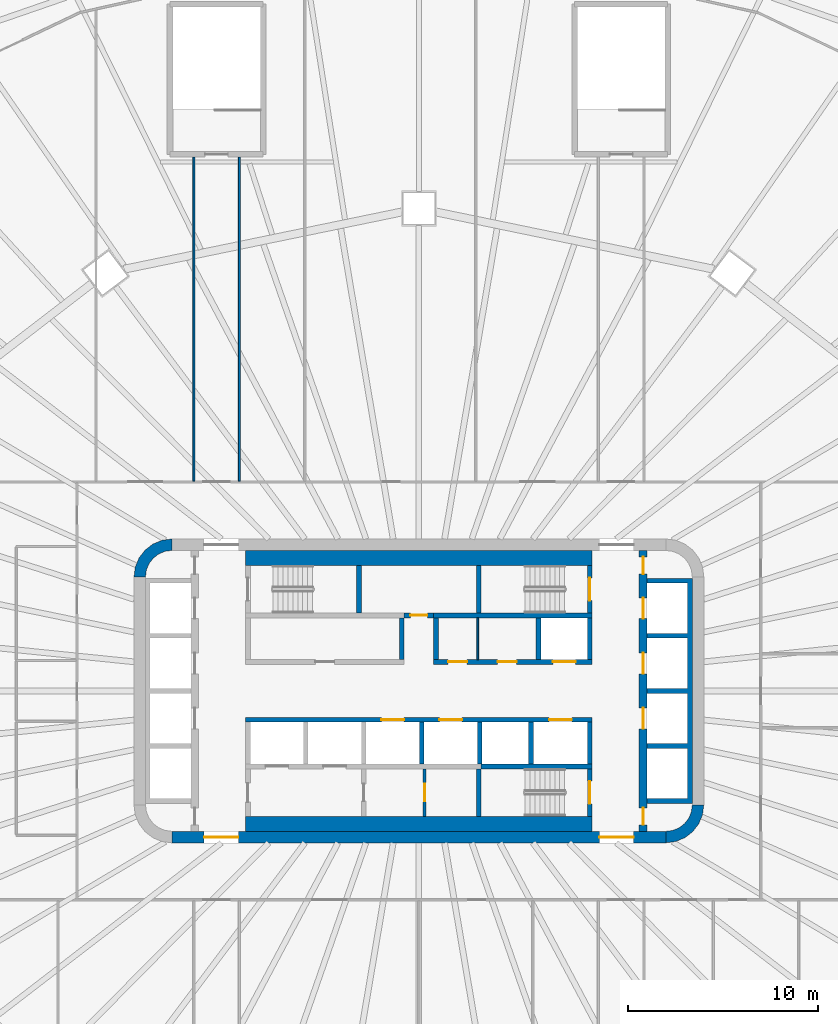
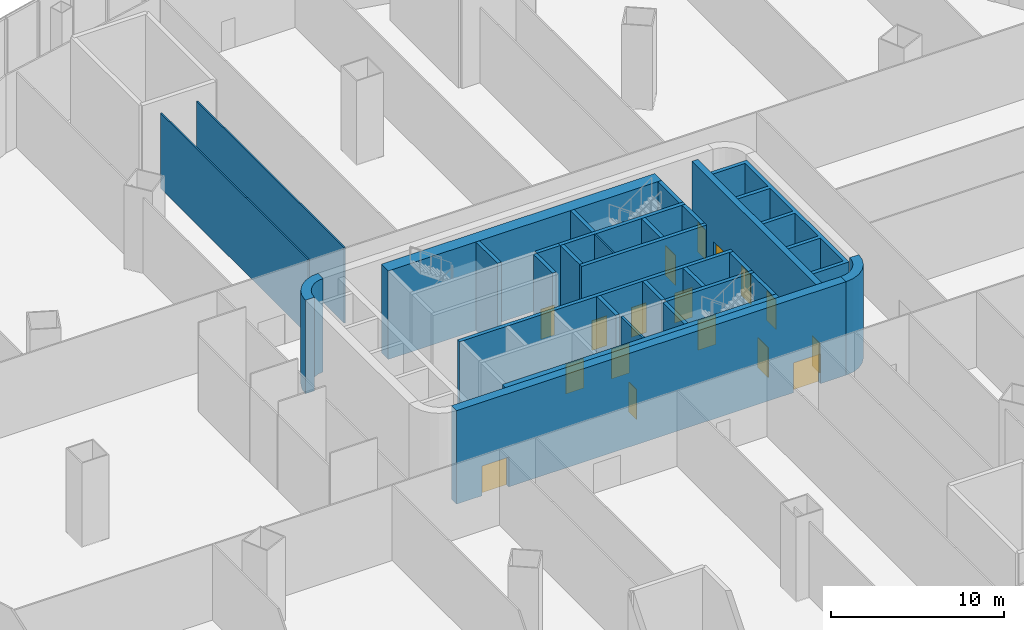
# One storey, part 22 of 33: 29 walls, 17 doors, 17 openings.
"""IFC4 building model written with IfcOpenShell, lengths in metres."""

import ifcopenshell
import ifcopenshell.guid

model = None  # the IFC model being written
_history = None  # IfcOwnerHistory: only IFC2X3 demands one
_inside = {}  # id of a spatial element -> (the spatial element, [elements in it])
_under = {}  # id of a project, library or spatial element -> (it, [spatial elements below it])
_declared = {}  # id of a project -> (the project, [libraries it declares])
_typed = {}  # id of a type object -> (the type object, [elements of that type])
_made_of = {}  # id of a material, layer set ... -> (it, [elements and type objects made of it])


def new_model(schema):
    """Start an empty IFC model of exactly this schema.

    Asked for "IFC4X3", IfcOpenShell would pick the latest addendum, in which some entities
    have other attributes; the version numbers below select the first issue.
    IFC2X3 requires an IfcOwnerHistory on every rooted entity: one is made here for all.
    """
    global model, _history
    if schema == "IFC4X3":
        model = ifcopenshell.file(schema_version=(4, 3, 0, 0))
    else:
        model = ifcopenshell.file(schema=schema)
    _inside.clear()
    _under.clear()
    _declared.clear()
    _typed.clear()
    _made_of.clear()
    _history = None
    if model.schema == "IFC2X3":
        org = make("IfcOrganization", Name="unknown")
        user = make(
            "IfcPersonAndOrganization",
            ThePerson=make("IfcPerson", FamilyName="unknown"),
            TheOrganization=org,
        )
        app = make(
            "IfcApplication",
            ApplicationDeveloper=org,
            Version="unknown",
            ApplicationFullName="unknown",
            ApplicationIdentifier="unknown",
        )
        _history = make(
            "IfcOwnerHistory",
            OwningUser=user,
            OwningApplication=app,
            ChangeAction="ADDED",
            CreationDate=0,
        )
    return model


def make(cls, **values):
    """One entity of the class cls with the attributes given. An attribute that is None is left unset."""
    return model.create_entity(
        cls, **{name: value for name, value in values.items() if value is not None}
    )


def rooted(cls, **values):
    """An entity with a GlobalId (a new one), such as an element, a storey or a relation."""
    return make(cls, GlobalId=ifcopenshell.guid.new(), OwnerHistory=_history, **values)


def si_unit(unit_type, name, prefix=None):
    """IfcSIUnit, for example si_unit("LENGTHUNIT", "METRE", prefix="MILLI")."""
    return make("IfcSIUnit", UnitType=unit_type, Prefix=prefix, Name=name)


def assignment(units):
    """IfcUnitAssignment: the units of a project."""
    return None if units is None else make("IfcUnitAssignment", Units=units)


def point(xyz):
    """IfcCartesianPoint."""
    return None if xyz is None else make("IfcCartesianPoint", Coordinates=xyz)


def direction(xyz):
    """IfcDirection."""
    return None if xyz is None else make("IfcDirection", DirectionRatios=xyz)


def frame(location, z_axis=None, x_axis=None):
    """IfcAxis2Placement3D, a coordinate frame: its origin and axes. An axis left out is left unset."""
    return make(
        "IfcAxis2Placement3D",
        Location=point(location),
        Axis=direction(z_axis),
        RefDirection=direction(x_axis),
    )


def frame_2d(location, x_axis=None):
    """IfcAxis2Placement2D, a coordinate frame in the plane: its origin and x axis."""
    return make(
        "IfcAxis2Placement2D", Location=point(location), RefDirection=direction(x_axis)
    )


def origin():
    """The frame at (0, 0, 0) with its axes left unset."""
    return frame((0.0, 0.0, 0.0))


def place(relative_to, where):
    """IfcLocalPlacement: puts the frame where relative to a parent placement (None: the world)."""
    return make(
        "IfcLocalPlacement", PlacementRelTo=relative_to, RelativePlacement=where
    )


def context(
    kind, dimensions, precision=None, world=None, true_north=None, identifier=None
):
    """IfcGeometricRepresentationContext, for example the 3D "Model" context."""
    return make(
        "IfcGeometricRepresentationContext",
        ContextIdentifier=identifier,
        ContextType=kind,
        CoordinateSpaceDimension=dimensions,
        Precision=precision,
        WorldCoordinateSystem=world,
        TrueNorth=true_north,
    )


def subcontext(parent, identifier, kind, view, scale=None):
    """IfcGeometricRepresentationSubContext, for example "Body" below "Model"."""
    return make(
        "IfcGeometricRepresentationSubContext",
        ContextIdentifier=identifier,
        ContextType=kind,
        ParentContext=parent,
        TargetScale=scale,
        TargetView=view,
    )


def project(units=None, contexts=None):
    """IfcProject with its units and contexts."""
    return rooted(
        "IfcProject",
        Name="project",
        RepresentationContexts=contexts,
        UnitsInContext=assignment(units),
    )


def spatial(cls, under=None, at=None, **own):
    """A site, building, storey or space (cls), placed at a placement, below another one or the project."""
    s = rooted(cls, ObjectPlacement=at, **own)
    if under is not None:
        _under.setdefault(under.id(), (under, []))[1].append(s)
    return s


def polyline(points):
    """IfcPolyline through the points."""
    return make("IfcPolyline", Points=[point(p) for p in points])


def profile(cls, at=None, kind="AREA", **sizes):
    """A parametric profile (cls). Its sizes go by their IFC names, for example OverallWidth=200.0."""
    return make(cls, ProfileType=kind, Position=at, **sizes)


def rectangle(**sizes):
    """IfcRectangleProfileDef."""
    return profile("IfcRectangleProfileDef", **sizes)


def outline(outer, holes=None, kind="AREA"):
    """IfcArbitraryClosedProfileDef: a profile drawn as a closed curve; with holes, ...WithVoids."""
    if holes is None:
        return make("IfcArbitraryClosedProfileDef", ProfileType=kind, OuterCurve=outer)
    return make(
        "IfcArbitraryProfileDefWithVoids",
        ProfileType=kind,
        OuterCurve=outer,
        InnerCurves=holes,
    )


def extrude(swept, where, along, depth):
    """IfcExtrudedAreaSolid: the profile swept, set in the frame where, extruded along a direction by depth."""
    return make(
        "IfcExtrudedAreaSolid",
        SweptArea=swept,
        Position=where,
        ExtrudedDirection=direction(along),
        Depth=depth,
    )


def shape(context_of_items, identifier, shape_type, items):
    """IfcShapeRepresentation: the items that make up one representation, for example the "Body"."""
    return make(
        "IfcShapeRepresentation",
        ContextOfItems=context_of_items,
        RepresentationIdentifier=identifier,
        RepresentationType=shape_type,
        Items=items,
    )


def material(Name=None, Category=None):
    """IfcMaterial."""
    return make("IfcMaterial", Name=Name, Category=Category)


def layer(
    of_material, thickness, ventilated=None, Name=None, Category=None, Priority=None
):
    """IfcMaterialLayer: one layer of a wall or slab, of a material (None: an air gap)."""
    return make(
        "IfcMaterialLayer",
        Material=of_material,
        LayerThickness=thickness,
        IsVentilated=ventilated,
        Name=Name,
        Category=Category,
        Priority=Priority,
    )


def layer_set(layers, Name=None):
    """IfcMaterialLayerSet."""
    return make("IfcMaterialLayerSet", MaterialLayers=layers, LayerSetName=Name)


def made_of(thing, what):
    """Note that an element or type object is made of a material, layer set ...; save() writes the relation."""
    if what is not None:
        _made_of.setdefault(what.id(), (what, []))[1].append(thing)
    return thing


def type_object(cls, material=None, **own):
    """A type object (cls), such as IfcWallType, which elements share."""
    return made_of(rooted(cls, **own), material)


def element(
    cls,
    number,
    at=None,
    inside=None,
    cuts=None,
    type_object=None,
    material=None,
    context=None,
    identifier="Body",
    shape_type=None,
    held_by="IfcProductDefinitionShape",
    body=None,
    shapes=None,
    **own,
):
    """One element of the class cls, such as IfcWall. Its Tag is "e" and its number.

    at: its placement. inside: the storey or other place that contains it. cuts: it is an
    opening in that element (IfcRelVoidsElement). A single representation is given by context,
    identifier, shape_type and body (its items); several are given by shapes. held_by: the class
    of the entity that holds the representations. save() writes the other relations.
    """
    e = rooted(cls, Tag="e%d" % number, ObjectPlacement=at, **own)
    if body is not None:
        shapes = [shape(context, identifier, shape_type, body)]
    if shapes is not None:
        e.Representation = make(held_by, Representations=shapes)
    if inside is not None:
        _inside.setdefault(inside.id(), (inside, []))[1].append(e)
    if cuts is not None:
        rooted(
            "IfcRelVoidsElement", RelatingBuildingElement=cuts, RelatedOpeningElement=e
        )
    if type_object is not None:
        _typed.setdefault(type_object.id(), (type_object, []))[1].append(e)
    return made_of(e, material)


def fill(opening, filler):
    """IfcRelFillsElement: the door or window that sits in an opening."""
    return rooted(
        "IfcRelFillsElement",
        RelatingOpeningElement=opening,
        RelatedBuildingElement=filler,
    )


def aggregate(whole, parts):
    """IfcRelAggregates: a whole, such as a stair, and the parts it consists of."""
    return rooted("IfcRelAggregates", RelatingObject=whole, RelatedObjects=parts)


def save(model, path):
    """Write the relations noted so far, then the file.

    IfcRelAggregates (storeys below a building ...), IfcRelContainedInSpatialStructure (elements
    in a storey), IfcRelDefinesByType, IfcRelAssociatesMaterial and IfcRelDeclares: one each for
    every whole, place, type object, material and project.
    """
    for whole, parts in _under.values():
        aggregate(whole, parts)
    for where, things in _inside.values():
        rooted(
            "IfcRelContainedInSpatialStructure",
            RelatedElements=things,
            RelatingStructure=where,
        )
    for kind, things in _typed.values():
        rooted("IfcRelDefinesByType", RelatedObjects=things, RelatingType=kind)
    for what, things in _made_of.values():
        rooted("IfcRelAssociatesMaterial", RelatedObjects=things, RelatingMaterial=what)
    for by, libraries in _declared.values():
        rooted("IfcRelDeclares", RelatingContext=by, RelatedDefinitions=libraries)
    model.write(path)


model = new_model("IFC4")

# Units and contexts
model_context = context("Model", 3, precision=1e-05, world=origin(), true_north=direction((0.0, 1.0)))
body_context = subcontext(model_context, "Body", "Model", "MODEL_VIEW")
ifc_project = project(units=[si_unit("LENGTHUNIT", "METRE"), si_unit("AREAUNIT", "SQUARE_METRE"), si_unit("VOLUMEUNIT", "CUBIC_METRE"), si_unit("PLANEANGLEUNIT", "RADIAN"), si_unit("MASSUNIT", "GRAM", prefix="KILO")], contexts=[model_context])

# Site, building, storey
site_placement = place(None, origin())
site = spatial("IfcSite", under=ifc_project, at=site_placement, CompositionType="ELEMENT")
building_placement = place(site_placement, origin())
building = spatial("IfcBuilding", under=site, at=building_placement, Name="Sahrelin Media Tower", CompositionType="ELEMENT")
storey_placement = place(building_placement, frame((0.0, 0.0, 37.39990234375)))
storey = spatial("IfcBuildingStorey", under=building, at=storey_placement, Name="L05", CompositionType="ELEMENT", Elevation=37.39990234375)

# Wall, openings, doors
ifc_material_1 = material(Name="Concrete C60/75", Category="concrete")
ifc_layer_1 = layer(ifc_material_1, 0.60009765625)
ifc_layer_set_1 = layer_set([ifc_layer_1], Name="Core wall 600")
wall_type_1 = type_object("IfcWallType", Name="Core wall 600", PredefinedType="SHEAR", material=ifc_layer_set_1)
wall_1_placement = place(storey_placement, frame((-13.0, -7.699951171875, 0.0), z_axis=(0.0, 0.0, 1.0), x_axis=(1.0, 0.0, 0.0)))
wall_1 = element("IfcWall", 1, at=wall_1_placement, inside=storey, type_object=wall_type_1, Name="Core wall S L05", PredefinedType="SHEAR", context=body_context, shape_type="SweptSolid", body=[
    extrude(rectangle(XDim=26.0, YDim=0.60009765625, at=frame_2d((13.0, 0.0))), origin(), (0.0, 0.0, 1.0), 6.60009765625),
])
opening_1_placement = place(wall_1_placement, frame((1.699951171875, 0.0, 0.0)))
opening_1 = element("IfcOpeningElement", 2, at=opening_1_placement, cuts=wall_1, Name="Opening L05-D17", PredefinedType="OPENING", context=body_context, shape_type="SweptSolid", body=[
    extrude(rectangle(XDim=1.800048828125, YDim=2.10009765625, at=frame_2d((0.89990234375, 1.050048828125))), frame((0.0, 0.300048828125, 0.0), z_axis=(0.0, -1.0, 0.0), x_axis=(1.0, 0.0, 0.0)), (0.0, 0.0, 1.0), 0.60009765625),
])
opening_2_placement = place(wall_1_placement, frame((22.5, 0.0, 0.0)))
opening_2 = element("IfcOpeningElement", 3, at=opening_2_placement, cuts=wall_1, Name="Opening L05-D18", PredefinedType="OPENING", context=body_context, shape_type="SweptSolid", body=[
    extrude(rectangle(XDim=1.800048828125, YDim=2.10009765625, at=frame_2d((0.89990234375, 1.050048828125))), frame((0.0, 0.300048828125, 0.0), z_axis=(0.0, -1.0, 0.0), x_axis=(1.0, 0.0, 0.0)), (0.0, 0.0, 1.0), 0.60009765625),
])
ifc_material_2 = material(Name="Steel fire door leaf", Category="steel")
door_type_1 = type_object("IfcDoorType", Name="Lobby double door 1800 x 2100 EI 60", OperationType="DOUBLE_DOOR_SINGLE_SWING", PredefinedType="DOOR", material=ifc_material_2)
door_1_placement = place(opening_1_placement, origin())
door_1 = element("IfcDoor", 4, at=door_1_placement, inside=storey, type_object=door_type_1, Name="Lobby door", OperationType="DOUBLE_DOOR_SINGLE_SWING", OverallHeight=2.10009765625, OverallWidth=1.800048828125, PredefinedType="DOOR", context=body_context, shape_type="SweptSolid", body=[
    extrude(rectangle(XDim=1.800048828125, YDim=2.10009765625, at=frame_2d((0.89990234375, 1.050048828125))), frame((0.0, 0.02490234375, 0.0), z_axis=(0.0, -1.0, 0.0), x_axis=(1.0, 0.0, 0.0)), (0.0, 0.0, 1.0), 0.050048828125),
])
fill(opening_1, door_1)
door_2_placement = place(opening_2_placement, origin())
door_2 = element("IfcDoor", 5, at=door_2_placement, inside=storey, type_object=door_type_1, Name="Lobby door", OperationType="DOUBLE_DOOR_SINGLE_SWING", OverallHeight=2.10009765625, OverallWidth=1.800048828125, PredefinedType="DOOR", context=body_context, shape_type="SweptSolid", body=[
    extrude(rectangle(XDim=1.800048828125, YDim=2.10009765625, at=frame_2d((0.89990234375, 1.050048828125))), frame((0.0, 0.02490234375, 0.0), z_axis=(0.0, -1.0, 0.0), x_axis=(1.0, 0.0, 0.0)), (0.0, 0.0, 1.0), 0.050048828125),
])
fill(opening_2, door_2)

# Walls
placement = place(storey_placement, origin())
element("IfcWall", 6, at=placement, inside=storey, type_object=wall_type_1, Name="Core wall corner NW L05", PredefinedType="SHEAR", context=body_context, shape_type="SweptSolid", body=[
    extrude(outline(polyline([(-15.0, 6.0), (-14.394775390625, 6.0), (-14.347412109375, 6.361083984375), (-14.2080078125, 6.697509765625), (-13.986328125, 6.986328125), (-13.697509765625, 7.2080078125), (-13.361083984375, 7.347412109375), (-13.0, 7.394775390625), (-13.0, 8.0), (-13.517578125, 7.931884765625), (-14.0, 7.732177734375), (-14.414306640625, 7.414306640625), (-14.732177734375, 7.0), (-14.931884765625, 6.517578125), (-15.0, 6.0)])), origin(), (0.0, 0.0, 1.0), 6.60009765625),
])
element("IfcWall", 7, at=placement, inside=storey, type_object=wall_type_1, Name="Core wall corner SE L05", PredefinedType="SHEAR", context=body_context, shape_type="SweptSolid", body=[
    extrude(outline(polyline([(15.0, -6.0), (14.394775390625, -6.0), (14.347412109375, -6.361083984375), (14.2080078125, -6.697509765625), (13.986328125, -6.986328125), (13.697509765625, -7.2080078125), (13.361083984375, -7.347412109375), (13.0, -7.394775390625), (13.0, -8.0), (13.517578125, -7.931884765625), (14.0, -7.732177734375), (14.414306640625, -7.414306640625), (14.732177734375, -7.0), (14.931884765625, -6.517578125), (15.0, -6.0)])), origin(), (0.0, 0.0, 1.0), 6.60009765625),
])

# Wall, opening, door
ifc_material_3 = material(Name="Fire-rated gypsum board partition")
ifc_layer_2 = layer(ifc_material_3, 0.25)
ifc_layer_set_2 = layer_set([ifc_layer_2], Name="Fire-rated lobby wall 250")
wall_type_2 = type_object("IfcWallType", Name="Fire-rated lobby wall 250", PredefinedType="PARTITIONING", material=ifc_layer_set_2)
wall_4_placement = place(storey_placement, frame((-0.77490234375, 3.97509765625, 0.0), z_axis=(0.0, 0.0, 1.0), x_axis=(1.0, 0.0, 0.0)))
wall_4 = element("IfcWall", 8, at=wall_4_placement, inside=storey, type_object=wall_type_2, Name="Core lobby wall", PredefinedType="PARTITIONING", context=body_context, shape_type="SweptSolid", body=[
    extrude(rectangle(XDim=1.5498046875, YDim=0.25, at=frame_2d((0.77490234375, 0.0))), origin(), (0.0, 0.0, 1.0), 6.25),
])
opening_3_placement = place(wall_4_placement, frame((0.324951171875, 0.0, 0.0)))
opening_3 = element("IfcOpeningElement", 9, at=opening_3_placement, cuts=wall_4, Name="Opening L05-D06", PredefinedType="OPENING", context=body_context, shape_type="SweptSolid", body=[
    extrude(rectangle(XDim=0.89990234375, YDim=2.10009765625, at=frame_2d((0.449951171875, 1.050048828125))), frame((0.0, 0.125, 0.0), z_axis=(0.0, -1.0, 0.0), x_axis=(1.0, 0.0, 0.0)), (0.0, 0.0, 1.0), 0.25),
])
door_type_2 = type_object("IfcDoorType", Name="Riser door 900 x 2100 EI 120", OperationType="NOTDEFINED", PredefinedType="DOOR", material=ifc_material_2)
door_3_placement = place(opening_3_placement, origin())
door_3 = element("IfcDoor", 10, at=door_3_placement, inside=storey, type_object=door_type_2, Name="Core room door", OperationType="SINGLE_SWING_LEFT", OverallHeight=2.10009765625, OverallWidth=0.89990234375, PredefinedType="DOOR", context=body_context, shape_type="SweptSolid", body=[
    extrude(rectangle(XDim=0.89990234375, YDim=2.10009765625, at=frame_2d((0.449951171875, 1.050048828125))), frame((0.0, 0.02490234375, 0.0), z_axis=(0.0, -1.0, 0.0), x_axis=(1.0, 0.0, 0.0)), (0.0, 0.0, 1.0), 0.050048828125),
])
fill(opening_3, door_3)

# Walls
for number, where, z_axis, x_axis, name in (
    (11, (-0.89990234375, 1.64990234375, 0.0), (0.0, 0.0, 1.0), (0.0, 1.0, 0.0), "Core lobby wall"),
    (12, (9.0, 1.64990234375, 0.0), (0.0, 0.0, 1.0), (0.0, 1.0, 0.0), "Core lobby wall"),
    (13, (0.89990234375, 1.64990234375, 0.0), (0.0, 0.0, 1.0), (0.0, 1.0, 0.0), "Core lobby wall"),
):
    element("IfcWall", number, at=place(storey_placement, frame(where, z_axis=z_axis, x_axis=x_axis)), inside=storey, type_object=wall_type_2, Name=name, PredefinedType="PARTITIONING", context=body_context, shape_type="SweptSolid", body=[
        extrude(rectangle(XDim=2.2001953125, YDim=0.25, at=frame_2d((1.10009765625, 0.0))), origin(), (0.0, 0.0, 1.0), 6.25),
    ])
ifc_layer_3 = layer(ifc_material_3, 0.10009765625)
ifc_layer_set_3 = layer_set([ifc_layer_3], Name="Fire-rated partition 100")
wall_type_3 = type_object("IfcWallType", Name="Fire-rated partition 100", PredefinedType="PARTITIONING", material=ifc_layer_set_3)
wall_5_placement = place(storey_placement, frame((3.10009765625, 1.64990234375, 0.0), z_axis=(0.0, 0.0, 1.0), x_axis=(0.0, 1.0, 0.0)))
element("IfcWall", 14, at=wall_5_placement, inside=storey, type_object=wall_type_3, Name="Core room partition", PredefinedType="PARTITIONING", context=body_context, shape_type="SweptSolid", body=[
    extrude(rectangle(XDim=2.2001953125, YDim=0.10009765625, at=frame_2d((1.10009765625, 0.0))), origin(), (0.0, 0.0, 1.0), 6.25),
])

# Wall, opening, door
ifc_layer_4 = layer(ifc_material_3, 0.14990234375)
ifc_layer_set_4 = layer_set([ifc_layer_4], Name="Fire-rated partition 150")
wall_type_4 = type_object("IfcWallType", Name="Fire-rated partition 150", PredefinedType="PARTITIONING", material=ifc_layer_set_4)
wall_6_placement = place(storey_placement, frame((0.300048828125, -6.60009765625, 0.0), z_axis=(0.0, 0.0, 1.0), x_axis=(0.0, 1.0, 0.0)))
wall_6 = element("IfcWall", 15, at=wall_6_placement, inside=storey, type_object=wall_type_4, Name="Core room fire partition", PredefinedType="PARTITIONING", context=body_context, shape_type="SweptSolid", body=[
    extrude(rectangle(XDim=2.5, YDim=0.14990234375, at=frame_2d((1.25, 0.0))), origin(), (0.0, 0.0, 1.0), 6.25),
])
opening_4_placement = place(wall_6_placement, frame((0.800048828125, 0.0, 0.0)))
opening_4 = element("IfcOpeningElement", 16, at=opening_4_placement, cuts=wall_6, Name="Opening L05-D07", PredefinedType="OPENING", context=body_context, shape_type="SweptSolid", body=[
    extrude(rectangle(XDim=0.89990234375, YDim=2.10009765625, at=frame_2d((0.449951171875, 1.050048828125))), frame((0.0, 0.074951171875, 0.0), z_axis=(0.0, -1.0, 0.0), x_axis=(1.0, 0.0, 0.0)), (0.0, 0.0, 1.0), 0.14990234375),
])
door_type_3 = type_object("IfcDoorType", Name="Fire door 900 x 2100 EI 60", OperationType="NOTDEFINED", PredefinedType="DOOR", material=ifc_material_2)
door_4_placement = place(opening_4_placement, origin())
door_4 = element("IfcDoor", 17, at=door_4_placement, inside=storey, type_object=door_type_3, Name="Core room door", OperationType="SINGLE_SWING_RIGHT", OverallHeight=2.10009765625, OverallWidth=0.89990234375, PredefinedType="DOOR", context=body_context, shape_type="SweptSolid", body=[
    extrude(rectangle(XDim=0.89990234375, YDim=2.10009765625, at=frame_2d((0.449951171875, 1.050048828125))), frame((0.0, 0.02490234375, 0.0), z_axis=(0.0, -1.0, 0.0), x_axis=(1.0, 0.0, 0.0)), (0.0, 0.0, 1.0), 0.050048828125),
])
fill(opening_4, door_4)

# Wall, openings, doors
ifc_layer_5 = layer(ifc_material_1, 0.25)
ifc_layer_set_5 = layer_set([ifc_layer_5], Name="Lift shaft wall 250")
wall_type_5 = type_object("IfcWallType", Name="Lift shaft wall 250", PredefinedType="SOLIDWALL", material=ifc_layer_set_5)
wall_7_placement = place(storey_placement, frame((0.77490234375, 1.52490234375, 0.0), z_axis=(0.0, 0.0, 1.0), x_axis=(1.0, 0.0, 0.0)))
wall_7 = element("IfcWall", 18, at=wall_7_placement, inside=storey, type_object=wall_type_5, Name="Lift shaft wall", PredefinedType="SOLIDWALL", context=body_context, shape_type="SweptSolid", body=[
    extrude(rectangle(XDim=8.35009765625, YDim=0.25, at=frame_2d((4.175048828125, 0.0))), origin(), (0.0, 0.0, 1.0), 6.25),
])
opening_5_placement = place(wall_7_placement, frame((6.27490234375, 0.0, 0.0)))
opening_5 = element("IfcOpeningElement", 19, at=opening_5_placement, cuts=wall_7, Name="Opening L05-LD-PR2", PredefinedType="OPENING", context=body_context, shape_type="SweptSolid", body=[
    extrude(rectangle(XDim=1.199951171875, YDim=2.10009765625, at=frame_2d((0.60009765625, 1.050048828125))), frame((0.0, 0.125, 0.0), z_axis=(0.0, -1.0, 0.0), x_axis=(1.0, 0.0, 0.0)), (0.0, 0.0, 1.0), 0.25),
])
opening_6_placement = place(wall_7_placement, frame((0.762451171875, 0.0, 0.0)))
opening_6 = element("IfcOpeningElement", 20, at=opening_6_placement, cuts=wall_7, Name="Opening L05-D09", PredefinedType="OPENING", context=body_context, shape_type="SweptSolid", body=[
    extrude(rectangle(XDim=1.0, YDim=2.10009765625, at=frame_2d((0.5, 1.050048828125))), frame((0.0, 0.125, 0.0), z_axis=(0.0, -1.0, 0.0), x_axis=(1.0, 0.0, 0.0)), (0.0, 0.0, 1.0), 0.25),
])
opening_7_placement = place(wall_7_placement, frame((3.375, 0.0, 0.0)))
opening_7 = element("IfcOpeningElement", 21, at=opening_7_placement, cuts=wall_7, Name="Opening L05-D10", PredefinedType="OPENING", context=body_context, shape_type="SweptSolid", body=[
    extrude(rectangle(XDim=1.0, YDim=2.10009765625, at=frame_2d((0.5, 1.050048828125))), frame((0.0, 0.125, 0.0), z_axis=(0.0, -1.0, 0.0), x_axis=(1.0, 0.0, 0.0)), (0.0, 0.0, 1.0), 0.25),
])
door_type_4 = type_object("IfcDoorType", Name="Fire door 1000 x 2100 EI 60", OperationType="NOTDEFINED", PredefinedType="DOOR", material=ifc_material_2)
door_5_placement = place(opening_6_placement, origin())
door_5 = element("IfcDoor", 22, at=door_5_placement, inside=storey, type_object=door_type_4, Name="Core room door", OperationType="SINGLE_SWING_LEFT", OverallHeight=2.10009765625, OverallWidth=1.0, PredefinedType="DOOR", context=body_context, shape_type="SweptSolid", body=[
    extrude(rectangle(XDim=1.0, YDim=2.10009765625, at=frame_2d((0.5, 1.050048828125))), frame((0.0, 0.02490234375, 0.0), z_axis=(0.0, -1.0, 0.0), x_axis=(1.0, 0.0, 0.0)), (0.0, 0.0, 1.0), 0.050048828125),
])
fill(opening_6, door_5)
door_6_placement = place(opening_7_placement, origin())
door_6 = element("IfcDoor", 23, at=door_6_placement, inside=storey, type_object=door_type_4, Name="Core room door", OperationType="SINGLE_SWING_LEFT", OverallHeight=2.10009765625, OverallWidth=1.0, PredefinedType="DOOR", context=body_context, shape_type="SweptSolid", body=[
    extrude(rectangle(XDim=1.0, YDim=2.10009765625, at=frame_2d((0.5, 1.050048828125))), frame((0.0, 0.02490234375, 0.0), z_axis=(0.0, -1.0, 0.0), x_axis=(1.0, 0.0, 0.0)), (0.0, 0.0, 1.0), 0.050048828125),
])
fill(opening_7, door_6)
ifc_material_4 = material(Name="Stainless steel", Category="steel")
door_type_5 = type_object("IfcDoorType", Name="Lift landing door 1200 x 2100 EI 120", OperationType="DOUBLE_DOOR_SLIDING", PredefinedType="DOOR", material=ifc_material_4)
door_7_placement = place(opening_5_placement, origin())
door_7 = element("IfcDoor", 24, at=door_7_placement, inside=storey, type_object=door_type_5, Name="Lift landing door PR2", OperationType="DOUBLE_DOOR_SLIDING", OverallHeight=2.10009765625, OverallWidth=1.199951171875, PredefinedType="DOOR", context=body_context, shape_type="SweptSolid", body=[
    extrude(rectangle(XDim=1.199951171875, YDim=2.10009765625, at=frame_2d((0.60009765625, 1.050048828125))), frame((0.0, 0.02490234375, 0.0), z_axis=(0.0, -1.0, 0.0), x_axis=(1.0, 0.0, 0.0)), (0.0, 0.0, 1.0), 0.050048828125),
])
fill(opening_5, door_7)

# Wall
wall_8_placement = place(storey_placement, frame((6.300048828125, 1.64990234375, 0.0), z_axis=(0.0, 0.0, 1.0), x_axis=(0.0, 1.0, 0.0)))
element("IfcWall", 25, at=wall_8_placement, inside=storey, type_object=wall_type_5, Name="Lift shaft wall", PredefinedType="SOLIDWALL", context=body_context, shape_type="SweptSolid", body=[
    extrude(rectangle(XDim=2.2001953125, YDim=0.25, at=frame_2d((1.10009765625, 0.0))), origin(), (0.0, 0.0, 1.0), 6.25),
])

# Wall, openings, doors
wall_9_placement = place(storey_placement, frame((-9.125, -1.52490234375, 0.0), z_axis=(0.0, 0.0, 1.0), x_axis=(1.0, 0.0, 0.0)))
wall_9 = element("IfcWall", 26, at=wall_9_placement, inside=storey, type_object=wall_type_5, Name="Lift shaft wall", PredefinedType="SOLIDWALL", context=body_context, shape_type="SweptSolid", body=[
    extrude(rectangle(XDim=18.25, YDim=0.25, at=frame_2d((9.125, 0.0))), origin(), (0.0, 0.0, 1.0), 6.25),
])
opening_8_placement = place(wall_9_placement, frame((7.14990234375, 0.0, 0.0)))
opening_8 = element("IfcOpeningElement", 27, at=opening_8_placement, cuts=wall_9, Name="Opening L05-LD-SV1", PredefinedType="OPENING", context=body_context, shape_type="SweptSolid", body=[
    extrude(rectangle(XDim=1.199951171875, YDim=2.10009765625, at=frame_2d((0.60009765625, 1.050048828125))), frame((0.0, 0.125, 0.0), z_axis=(0.0, -1.0, 0.0), x_axis=(1.0, 0.0, 0.0)), (0.0, 0.0, 1.0), 0.25),
])
opening_9_placement = place(wall_9_placement, frame((10.199951171875, 0.0, 0.0)))
opening_9 = element("IfcOpeningElement", 28, at=opening_9_placement, cuts=wall_9, Name="Opening L05-LD-SV2", PredefinedType="OPENING", context=body_context, shape_type="SweptSolid", body=[
    extrude(rectangle(XDim=1.199951171875, YDim=2.10009765625, at=frame_2d((0.60009765625, 1.050048828125))), frame((0.0, 0.125, 0.0), z_axis=(0.0, -1.0, 0.0), x_axis=(1.0, 0.0, 0.0)), (0.0, 0.0, 1.0), 0.25),
])
opening_10_placement = place(wall_9_placement, frame((15.97509765625, 0.0, 0.0)))
opening_10 = element("IfcOpeningElement", 29, at=opening_10_placement, cuts=wall_9, Name="Opening L05-LD-PR1", PredefinedType="OPENING", context=body_context, shape_type="SweptSolid", body=[
    extrude(rectangle(XDim=1.199951171875, YDim=2.10009765625, at=frame_2d((0.60009765625, 1.050048828125))), frame((0.0, 0.125, 0.0), z_axis=(0.0, -1.0, 0.0), x_axis=(1.0, 0.0, 0.0)), (0.0, 0.0, 1.0), 0.25),
])
door_8_placement = place(opening_8_placement, origin())
door_8 = element("IfcDoor", 30, at=door_8_placement, inside=storey, type_object=door_type_5, Name="Lift landing door SV1", OperationType="DOUBLE_DOOR_SLIDING", OverallHeight=2.10009765625, OverallWidth=1.199951171875, PredefinedType="DOOR", context=body_context, shape_type="SweptSolid", body=[
    extrude(rectangle(XDim=1.199951171875, YDim=2.10009765625, at=frame_2d((0.60009765625, 1.050048828125))), frame((0.0, 0.02490234375, 0.0), z_axis=(0.0, -1.0, 0.0), x_axis=(1.0, 0.0, 0.0)), (0.0, 0.0, 1.0), 0.050048828125),
])
fill(opening_8, door_8)
door_9_placement = place(opening_9_placement, origin())
door_9 = element("IfcDoor", 31, at=door_9_placement, inside=storey, type_object=door_type_5, Name="Lift landing door SV2", OperationType="DOUBLE_DOOR_SLIDING", OverallHeight=2.10009765625, OverallWidth=1.199951171875, PredefinedType="DOOR", context=body_context, shape_type="SweptSolid", body=[
    extrude(rectangle(XDim=1.199951171875, YDim=2.10009765625, at=frame_2d((0.60009765625, 1.050048828125))), frame((0.0, 0.02490234375, 0.0), z_axis=(0.0, -1.0, 0.0), x_axis=(1.0, 0.0, 0.0)), (0.0, 0.0, 1.0), 0.050048828125),
])
fill(opening_9, door_9)
door_10_placement = place(opening_10_placement, origin())
door_10 = element("IfcDoor", 32, at=door_10_placement, inside=storey, type_object=door_type_5, Name="Lift landing door PR1", OperationType="DOUBLE_DOOR_SLIDING", OverallHeight=2.10009765625, OverallWidth=1.199951171875, PredefinedType="DOOR", context=body_context, shape_type="SweptSolid", body=[
    extrude(rectangle(XDim=1.199951171875, YDim=2.10009765625, at=frame_2d((0.60009765625, 1.050048828125))), frame((0.0, 0.02490234375, 0.0), z_axis=(0.0, -1.0, 0.0), x_axis=(1.0, 0.0, 0.0)), (0.0, 0.0, 1.0), 0.050048828125),
])
fill(opening_10, door_10)

# Walls
wall_10_placement = place(storey_placement, frame((3.27490234375, -3.97509765625, 0.0), z_axis=(0.0, 0.0, 1.0), x_axis=(1.0, 0.0, 0.0)))
element("IfcWall", 33, at=wall_10_placement, inside=storey, type_object=wall_type_5, Name="Lift shaft wall", PredefinedType="SOLIDWALL", context=body_context, shape_type="SweptSolid", body=[
    extrude(rectangle(XDim=5.85009765625, YDim=0.25, at=frame_2d((2.925048828125, 0.0))), origin(), (0.0, 0.0, 1.0), 6.25),
])
for number, where, z_axis, x_axis, name in (
    (34, (0.14990234375, -3.85009765625, 0.0), (0.0, 0.0, 1.0), (0.0, 1.0, 0.0), "Lift shaft wall"),
    (35, (3.199951171875, -3.85009765625, 0.0), (0.0, 0.0, 1.0), (0.0, 1.0, 0.0), "Lift shaft wall"),
    (36, (5.89990234375, -3.85009765625, 0.0), (0.0, 0.0, 1.0), (0.0, 1.0, 0.0), "Lift shaft wall"),
    (37, (9.0, -3.85009765625, 0.0), (0.0, 0.0, 1.0), (0.0, 1.0, 0.0), "Lift shaft wall"),
):
    element("IfcWall", number, at=place(storey_placement, frame(where, z_axis=z_axis, x_axis=x_axis)), inside=storey, type_object=wall_type_5, Name=name, PredefinedType="SOLIDWALL", context=body_context, shape_type="SweptSolid", body=[
        extrude(rectangle(XDim=2.2001953125, YDim=0.25, at=frame_2d((1.10009765625, 0.0))), origin(), (0.0, 0.0, 1.0), 6.25),
    ])
element("IfcWall", 38, at=placement, inside=storey, type_object=wall_type_5, Name="Lift shaft wall", PredefinedType="SOLIDWALL", context=body_context, shape_type="SweptSolid", body=[
    extrude(outline(polyline([(12.0, -5.675048828125), (12.0, -5.925048828125), (14.14990234375, -5.925048828125), (14.39990234375, -5.925048828125), (14.39990234375, -5.675048828125), (14.39990234375, -3.02490234375), (14.39990234375, -2.77490234375), (14.39990234375, -0.125), (14.39990234375, 0.125), (14.39990234375, 2.77490234375), (14.39990234375, 3.02490234375), (14.39990234375, 5.675048828125), (14.39990234375, 5.925048828125), (14.14990234375, 5.925048828125), (12.0, 5.925048828125), (12.0, 5.675048828125), (14.14990234375, 5.675048828125), (14.14990234375, 3.02490234375), (12.0, 3.02490234375), (12.0, 2.77490234375), (14.14990234375, 2.77490234375), (14.14990234375, 0.125), (12.0, 0.125), (12.0, -0.125), (14.14990234375, -0.125), (14.14990234375, -2.77490234375), (12.0, -2.77490234375), (12.0, -3.02490234375), (14.14990234375, -3.02490234375), (14.14990234375, -5.675048828125), (12.0, -5.675048828125)])), origin(), (0.0, 0.0, 1.0), 6.25),
])

# Wall, openings, doors
ifc_layer_6 = layer(ifc_material_1, 0.39990234375)
ifc_layer_set_6 = layer_set([ifc_layer_6], Name="Lift shaft wall 400")
wall_type_6 = type_object("IfcWallType", Name="Lift shaft wall 400", PredefinedType="SOLIDWALL", material=ifc_layer_set_6)
wall_12_placement = place(storey_placement, frame((11.800048828125, -7.39990234375, 0.0), z_axis=(0.0, 0.0, 1.0), x_axis=(0.0, 1.0, 0.0)))
wall_12 = element("IfcWall", 39, at=wall_12_placement, inside=storey, type_object=wall_type_6, Name="Lift shaft wall", PredefinedType="SOLIDWALL", context=body_context, shape_type="SweptSolid", body=[
    extrude(rectangle(XDim=14.7998046875, YDim=0.39990234375, at=frame_2d((7.39990234375, 0.0))), origin(), (0.0, 0.0, 1.0), 6.25),
])
opening_11_placement = place(wall_12_placement, frame((11.199951171875, 0.0, 0.0)))
opening_11 = element("IfcOpeningElement", 40, at=opening_11_placement, cuts=wall_12, Name="Opening L05-LD-LR4", PredefinedType="OPENING", context=body_context, shape_type="SweptSolid", body=[
    extrude(rectangle(XDim=1.10009765625, YDim=2.10009765625, at=frame_2d((0.550048828125, 1.050048828125))), frame((0.0, 0.199951171875, 0.0), z_axis=(0.0, -1.0, 0.0), x_axis=(1.0, 0.0, 0.0)), (0.0, 0.0, 1.0), 0.39990234375),
])
opening_12_placement = place(wall_12_placement, frame((8.300048828125, 0.0, 0.0)))
opening_12 = element("IfcOpeningElement", 41, at=opening_12_placement, cuts=wall_12, Name="Opening L05-LD-LR5", PredefinedType="OPENING", context=body_context, shape_type="SweptSolid", body=[
    extrude(rectangle(XDim=1.10009765625, YDim=2.10009765625, at=frame_2d((0.550048828125, 1.050048828125))), frame((0.0, 0.199951171875, 0.0), z_axis=(0.0, -1.0, 0.0), x_axis=(1.0, 0.0, 0.0)), (0.0, 0.0, 1.0), 0.39990234375),
])
opening_13_placement = place(wall_12_placement, frame((5.39990234375, 0.0, 0.0)))
opening_13 = element("IfcOpeningElement", 42, at=opening_13_placement, cuts=wall_12, Name="Opening L05-LD-LR6", PredefinedType="OPENING", context=body_context, shape_type="SweptSolid", body=[
    extrude(rectangle(XDim=1.10009765625, YDim=2.10009765625, at=frame_2d((0.550048828125, 1.050048828125))), frame((0.0, 0.199951171875, 0.0), z_axis=(0.0, -1.0, 0.0), x_axis=(1.0, 0.0, 0.0)), (0.0, 0.0, 1.0), 0.39990234375),
])
opening_14_placement = place(wall_12_placement, frame((13.552490234375, 0.0, 0.0)))
opening_14 = element("IfcOpeningElement", 43, at=opening_14_placement, cuts=wall_12, Name="Opening L05-D13", PredefinedType="OPENING", context=body_context, shape_type="SweptSolid", body=[
    extrude(rectangle(XDim=0.89990234375, YDim=2.10009765625, at=frame_2d((0.449951171875, 1.050048828125))), frame((0.0, 0.199951171875, 0.0), z_axis=(0.0, -1.0, 0.0), x_axis=(1.0, 0.0, 0.0)), (0.0, 0.0, 1.0), 0.39990234375),
])
opening_15_placement = place(wall_12_placement, frame((0.347412109375, 0.0, 0.0)))
opening_15 = element("IfcOpeningElement", 44, at=opening_15_placement, cuts=wall_12, Name="Opening L05-D14", PredefinedType="OPENING", context=body_context, shape_type="SweptSolid", body=[
    extrude(rectangle(XDim=0.89990234375, YDim=2.10009765625, at=frame_2d((0.449951171875, 1.050048828125))), frame((0.0, 0.199951171875, 0.0), z_axis=(0.0, -1.0, 0.0), x_axis=(1.0, 0.0, 0.0)), (0.0, 0.0, 1.0), 0.39990234375),
])
door_type_6 = type_object("IfcDoorType", Name="Lift landing door 1100 x 2100 EI 120", OperationType="DOUBLE_DOOR_SLIDING", PredefinedType="DOOR", material=ifc_material_4)
door_11_placement = place(opening_11_placement, origin())
door_11 = element("IfcDoor", 45, at=door_11_placement, inside=storey, type_object=door_type_6, Name="Lift landing door LR4", OperationType="DOUBLE_DOOR_SLIDING", OverallHeight=2.10009765625, OverallWidth=1.10009765625, PredefinedType="DOOR", context=body_context, shape_type="SweptSolid", body=[
    extrude(rectangle(XDim=1.10009765625, YDim=2.10009765625, at=frame_2d((0.550048828125, 1.050048828125))), frame((0.0, 0.02490234375, 0.0), z_axis=(0.0, -1.0, 0.0), x_axis=(1.0, 0.0, 0.0)), (0.0, 0.0, 1.0), 0.050048828125),
])
fill(opening_11, door_11)
door_12_placement = place(opening_12_placement, origin())
door_12 = element("IfcDoor", 46, at=door_12_placement, inside=storey, type_object=door_type_6, Name="Lift landing door LR5", OperationType="DOUBLE_DOOR_SLIDING", OverallHeight=2.10009765625, OverallWidth=1.10009765625, PredefinedType="DOOR", context=body_context, shape_type="SweptSolid", body=[
    extrude(rectangle(XDim=1.10009765625, YDim=2.10009765625, at=frame_2d((0.550048828125, 1.050048828125))), frame((0.0, 0.02490234375, 0.0), z_axis=(0.0, -1.0, 0.0), x_axis=(1.0, 0.0, 0.0)), (0.0, 0.0, 1.0), 0.050048828125),
])
fill(opening_12, door_12)
door_13_placement = place(opening_13_placement, origin())
door_13 = element("IfcDoor", 47, at=door_13_placement, inside=storey, type_object=door_type_6, Name="Lift landing door LR6", OperationType="DOUBLE_DOOR_SLIDING", OverallHeight=2.10009765625, OverallWidth=1.10009765625, PredefinedType="DOOR", context=body_context, shape_type="SweptSolid", body=[
    extrude(rectangle(XDim=1.10009765625, YDim=2.10009765625, at=frame_2d((0.550048828125, 1.050048828125))), frame((0.0, 0.02490234375, 0.0), z_axis=(0.0, -1.0, 0.0), x_axis=(1.0, 0.0, 0.0)), (0.0, 0.0, 1.0), 0.050048828125),
])
fill(opening_13, door_13)
door_14_placement = place(opening_14_placement, origin())
door_14 = element("IfcDoor", 48, at=door_14_placement, inside=storey, type_object=door_type_2, Name="Riser door", OperationType="SINGLE_SWING_RIGHT", OverallHeight=2.10009765625, OverallWidth=0.89990234375, PredefinedType="DOOR", context=body_context, shape_type="SweptSolid", body=[
    extrude(rectangle(XDim=0.89990234375, YDim=2.10009765625, at=frame_2d((0.449951171875, 1.050048828125))), frame((0.0, 0.02490234375, 0.0), z_axis=(0.0, -1.0, 0.0), x_axis=(1.0, 0.0, 0.0)), (0.0, 0.0, 1.0), 0.050048828125),
])
fill(opening_14, door_14)
door_15_placement = place(opening_15_placement, origin())
door_15 = element("IfcDoor", 49, at=door_15_placement, inside=storey, type_object=door_type_2, Name="Riser door", OperationType="SINGLE_SWING_RIGHT", OverallHeight=2.10009765625, OverallWidth=0.89990234375, PredefinedType="DOOR", context=body_context, shape_type="SweptSolid", body=[
    extrude(rectangle(XDim=0.89990234375, YDim=2.10009765625, at=frame_2d((0.449951171875, 1.050048828125))), frame((0.0, 0.02490234375, 0.0), z_axis=(0.0, -1.0, 0.0), x_axis=(1.0, 0.0, 0.0)), (0.0, 0.0, 1.0), 0.050048828125),
])
fill(opening_15, door_15)

# Walls
ifc_material_5 = material(Name="Gypsum board partition")
ifc_layer_7 = layer(ifc_material_5, 0.10009765625)
ifc_layer_set_7 = layer_set([ifc_layer_7], Name="Partition 100")
wall_type_7 = type_object("IfcWallType", Name="Partition 100", PredefinedType="PARTITIONING", material=ifc_layer_set_7)
for number, where, z_axis, x_axis, name in (
    (50, (-11.85009765625, 11.050048828125, 0.0), (0.0, 0.0, 1.0), (0.0, 1.0, 0.0), "Wall"),
    (51, (-9.449951171875, 11.050048828125, 0.0), (0.0, 0.0, 1.0), (0.0, 1.0, 0.0), "Wall"),
):
    element("IfcWall", number, at=place(storey_placement, frame(where, z_axis=z_axis, x_axis=x_axis)), inside=storey, type_object=wall_type_7, Name=name, PredefinedType="PARTITIONING", context=body_context, shape_type="SweptSolid", body=[
        extrude(rectangle(XDim=17.050048828125, YDim=0.10009765625, at=frame_2d((8.52490234375, 0.0))), origin(), (0.0, 0.0, 1.0), 5.318359375),
    ])

# Wall, opening, door
ifc_layer_8 = layer(ifc_material_1, 0.25)
ifc_layer_set_8 = layer_set([ifc_layer_8], Name="Stair enclosure wall 250")
wall_type_8 = type_object("IfcWallType", Name="Stair enclosure wall 250", PredefinedType="SOLIDWALL", material=ifc_layer_set_8)
wall_13_placement = place(storey_placement, frame((9.0, 4.10009765625, 0.0), z_axis=(0.0, 0.0, 1.0), x_axis=(0.0, 1.0, 0.0)))
wall_13 = element("IfcWall", 52, at=wall_13_placement, inside=storey, type_object=wall_type_8, Name="Stair enclosure wall", PredefinedType="SOLIDWALL", context=body_context, shape_type="SweptSolid", body=[
    extrude(rectangle(XDim=2.5, YDim=0.25, at=frame_2d((1.25, 0.0))), origin(), (0.0, 0.0, 1.0), 6.25),
])
opening_16_placement = place(wall_13_placement, frame((0.64990234375, 0.0, 0.0)))
opening_16 = element("IfcOpeningElement", 53, at=opening_16_placement, cuts=wall_13, Name="Opening L05-D02", PredefinedType="OPENING", context=body_context, shape_type="SweptSolid", body=[
    extrude(rectangle(XDim=1.199951171875, YDim=2.10009765625, at=frame_2d((0.60009765625, 1.050048828125))), frame((0.0, 0.125, 0.0), z_axis=(0.0, -1.0, 0.0), x_axis=(1.0, 0.0, 0.0)), (0.0, 0.0, 1.0), 0.25),
])
door_type_7 = type_object("IfcDoorType", Name="Stair door 1200 x 2100 EI 120", OperationType="NOTDEFINED", PredefinedType="DOOR", material=ifc_material_2)
door_16_placement = place(opening_16_placement, origin())
door_16 = element("IfcDoor", 54, at=door_16_placement, inside=storey, type_object=door_type_7, Name="Stair door ST3", OperationType="SINGLE_SWING_LEFT", OverallHeight=2.10009765625, OverallWidth=1.199951171875, PredefinedType="DOOR", context=body_context, shape_type="SweptSolid", body=[
    extrude(rectangle(XDim=1.199951171875, YDim=2.10009765625, at=frame_2d((0.60009765625, 1.050048828125))), frame((0.0, 0.02490234375, 0.0), z_axis=(0.0, -1.0, 0.0), x_axis=(1.0, 0.0, 0.0)), (0.0, 0.0, 1.0), 0.050048828125),
])
fill(opening_16, door_16)

wall_14_placement = place(storey_placement, frame((9.0, -6.60009765625, 0.0), z_axis=(0.0, 0.0, 1.0), x_axis=(0.0, 1.0, 0.0)))
wall_14 = element("IfcWall", 55, at=wall_14_placement, inside=storey, type_object=wall_type_8, Name="Stair enclosure wall", PredefinedType="SOLIDWALL", context=body_context, shape_type="SweptSolid", body=[
    extrude(rectangle(XDim=2.5, YDim=0.25, at=frame_2d((1.25, 0.0))), origin(), (0.0, 0.0, 1.0), 6.25),
])
opening_17_placement = place(wall_14_placement, frame((0.64990234375, 0.0, 0.0)))
opening_17 = element("IfcOpeningElement", 56, at=opening_17_placement, cuts=wall_14, Name="Opening L05-D03", PredefinedType="OPENING", context=body_context, shape_type="SweptSolid", body=[
    extrude(rectangle(XDim=1.199951171875, YDim=2.10009765625, at=frame_2d((0.60009765625, 1.050048828125))), frame((0.0, 0.125, 0.0), z_axis=(0.0, -1.0, 0.0), x_axis=(1.0, 0.0, 0.0)), (0.0, 0.0, 1.0), 0.25),
])
door_17_placement = place(opening_17_placement, origin())
door_17 = element("IfcDoor", 57, at=door_17_placement, inside=storey, type_object=door_type_7, Name="Stair door ST2", OperationType="SINGLE_SWING_LEFT", OverallHeight=2.10009765625, OverallWidth=1.199951171875, PredefinedType="DOOR", context=body_context, shape_type="SweptSolid", body=[
    extrude(rectangle(XDim=1.199951171875, YDim=2.10009765625, at=frame_2d((0.60009765625, 1.050048828125))), frame((0.0, 0.02490234375, 0.0), z_axis=(0.0, -1.0, 0.0), x_axis=(1.0, 0.0, 0.0)), (0.0, 0.0, 1.0), 0.050048828125),
])
fill(opening_17, door_17)

# Walls
for number, where, z_axis, x_axis, name in (
    (58, (-3.14990234375, 4.10009765625, 0.0), (0.0, 0.0, 1.0), (0.0, 1.0, 0.0), "Stair enclosure wall"),
    (59, (3.14990234375, 4.10009765625, 0.0), (0.0, 0.0, 1.0), (0.0, 1.0, 0.0), "Stair enclosure wall"),
    (60, (3.14990234375, -6.60009765625, 0.0), (0.0, 0.0, 1.0), (0.0, 1.0, 0.0), "Stair enclosure wall"),
):
    element("IfcWall", number, at=place(storey_placement, frame(where, z_axis=z_axis, x_axis=x_axis)), inside=storey, type_object=wall_type_8, Name=name, PredefinedType="SOLIDWALL", context=body_context, shape_type="SweptSolid", body=[
        extrude(rectangle(XDim=2.5, YDim=0.25, at=frame_2d((1.25, 0.0))), origin(), (0.0, 0.0, 1.0), 6.25),
    ])
wall_15_placement = place(storey_placement, frame((0.77490234375, 3.97509765625, 0.0), z_axis=(0.0, 0.0, 1.0), x_axis=(1.0, 0.0, 0.0)))
element("IfcWall", 61, at=wall_15_placement, inside=storey, type_object=wall_type_8, Name="Stair enclosure wall", PredefinedType="SOLIDWALL", context=body_context, shape_type="SweptSolid", body=[
    extrude(rectangle(XDim=8.35009765625, YDim=0.25, at=frame_2d((4.175048828125, 0.0))), origin(), (0.0, 0.0, 1.0), 6.25),
])
ifc_layer_9 = layer(ifc_material_1, 0.800048828125)
ifc_layer_set_9 = layer_set([ifc_layer_9], Name="Stair enclosure wall 800")
wall_type_9 = type_object("IfcWallType", Name="Stair enclosure wall 800", PredefinedType="SOLIDWALL", material=ifc_layer_set_9)
for number, where, z_axis, x_axis, name in (
    (62, (-9.125, 7.0, 0.0), (0.0, 0.0, 1.0), (1.0, 0.0, 0.0), "Stair enclosure wall"),
    (63, (-9.125, -7.0, 0.0), (0.0, 0.0, 1.0), (1.0, 0.0, 0.0), "Stair enclosure wall"),
):
    element("IfcWall", number, at=place(storey_placement, frame(where, z_axis=z_axis, x_axis=x_axis)), inside=storey, type_object=wall_type_9, Name=name, PredefinedType="SOLIDWALL", context=body_context, shape_type="SweptSolid", body=[
        extrude(rectangle(XDim=18.25, YDim=0.800048828125, at=frame_2d((9.125, 0.0))), origin(), (0.0, 0.0, 1.0), 6.25),
    ])

save(model, "model.ifc")
